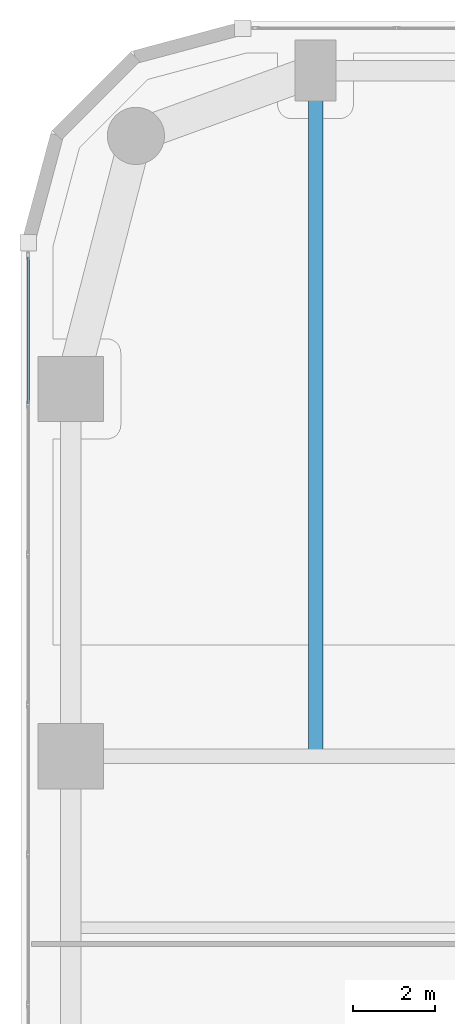
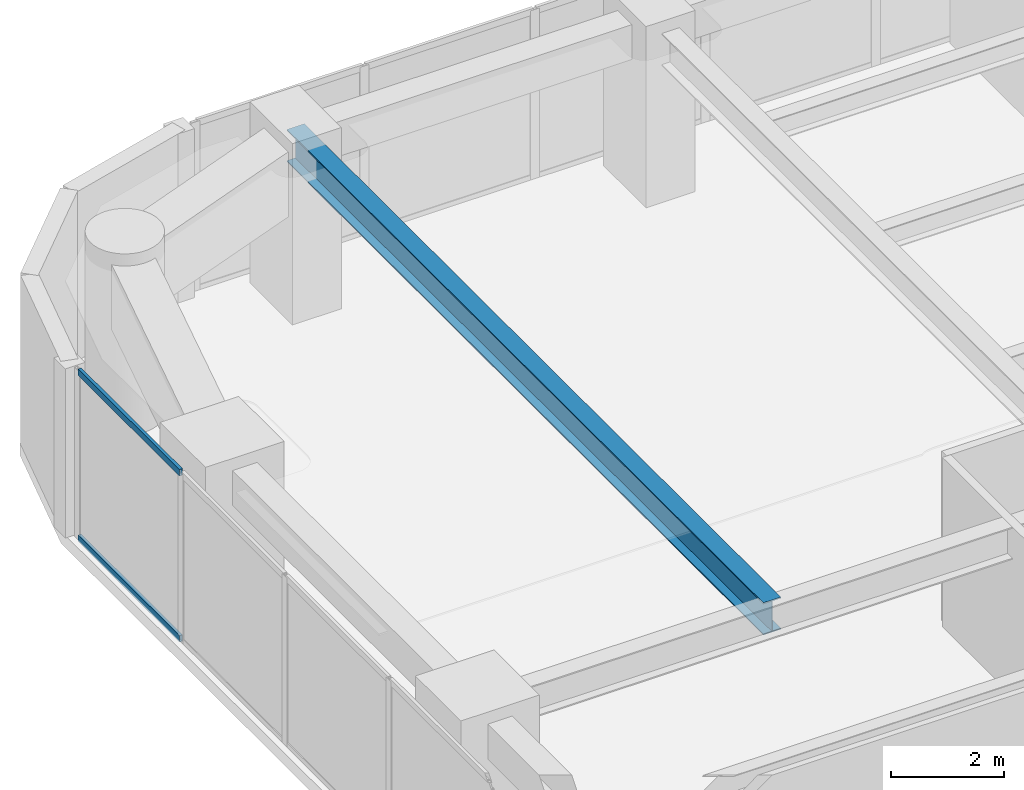
# One storey, part 13 of 28: 2 members, 1 beam, 1 element without a shape of its own.
"""IFC4 building model written with IfcOpenShell, lengths in metres."""

from ifc_helpers import new_model, si_unit, direction, frame, origin, origin_2d, place, context, subcontext, project, spatial, hollow_rectangle, i_section, extrude, material, layer, layer_set, material_profile, profile_set, type_object, element, aggregate, save


model = new_model("IFC4")

# Units and contexts
model_context = context("Model", 3, precision=1e-05, world=origin(), true_north=direction((0.0, 1.0)))
body_context = subcontext(model_context, "Body", "Model", "MODEL_VIEW")
ifc_project = project(units=[si_unit("LENGTHUNIT", "METRE"), si_unit("AREAUNIT", "SQUARE_METRE"), si_unit("VOLUMEUNIT", "CUBIC_METRE"), si_unit("PLANEANGLEUNIT", "RADIAN"), si_unit("MASSUNIT", "GRAM", prefix="KILO")], contexts=[model_context])

# Site, building, storey
site_placement = place(None, origin())
site = spatial("IfcSite", under=ifc_project, at=site_placement, CompositionType="ELEMENT")
building_placement = place(site_placement, origin())
building = spatial("IfcBuilding", under=site, at=building_placement, Name="Kiyonajd Concourse Tower", CompositionType="ELEMENT")
storey_placement = place(building_placement, frame((0.0, 0.0, 37.199951171875)))
storey = spatial("IfcBuildingStorey", under=building, at=storey_placement, Name="L10", CompositionType="ELEMENT", Elevation=37.199951171875)

# Beam
ifc_material_1 = material(Name="Steel ASTM A992 Grade 50", Category="steel")
ifc_material_profile_1 = material_profile(ifc_material_1, i_section(OverallWidth=0.35498046875, OverallDepth=0.695068359375, WebThickness=0.015380859375, FlangeThickness=0.02490234375, at=origin_2d()), Name="W690X217")
ifc_profile_set_1 = profile_set([ifc_material_profile_1], Name="Steel ASTM A992 Grade 50")
beam_type = type_object("IfcBeamType", Name="BM-TWR-690", PredefinedType="BEAM", material=ifc_profile_set_1)
beam_placement = place(storey_placement, frame((25.199951171875, 44.39990234375, 3.29248046875), z_axis=(0.0, 1.0, 0.0), x_axis=(-1.0, 0.0, 0.0)))
element("IfcBeam", 1, at=beam_placement, inside=storey, type_object=beam_type, Name="L10 North Lease Girder", PredefinedType="BEAM", context=body_context, shape_type="SweptSolid", body=[
    extrude(i_section(OverallWidth=0.35498046875, OverallDepth=0.695068359375, WebThickness=0.015380859375, FlangeThickness=0.02490234375, at=origin_2d()), origin(), (0.0, 0.0, 1.0), 16.800048828125),
])

# Curtain wall, members
ifc_material_2 = material(Name="Thermally Broken Anodised Aluminium", Category="aluminium")
ifc_layer = layer(ifc_material_2, 0.179931640625)
ifc_layer_set = layer_set([ifc_layer], Name="Thermally Broken Anodised Aluminium")
curtain_wall_type = type_object("IfcCurtainWallType", Name="CW-SYS-02", PredefinedType="NOTDEFINED", material=ifc_layer_set)
curtain_wall_placement = place(storey_placement, origin())
curtain_wall = element("IfcCurtainWall", 2, at=curtain_wall_placement, inside=storey, type_object=curtain_wall_type, Name="L10 Unitised Curtain Wall CW2", PredefinedType="NOTDEFINED")
ifc_material_profile_2 = material_profile(ifc_material_2, hollow_rectangle(XDim=0.06494140625, YDim=0.139892578125, WallThickness=0.00390625, at=origin_2d()), Name="TRAN-65x140")
ifc_profile_set_2 = profile_set([ifc_material_profile_2], Name="Thermally Broken Anodised Aluminium")
member_type = type_object("IfcMemberType", Name="MB-CW-TRAN1", PredefinedType="USERDEFINED", material=ifc_profile_set_2)
member_1_placement = place(storey_placement, frame((18.159912109375, 53.04833984375, 0.032470703125), z_axis=(0.0, 1.0, 0.0), x_axis=(-1.0, 0.0, 0.0)))
member_1 = element("IfcMember", 3, at=member_1_placement, type_object=member_type, Name="CW2 transom 6.1", ObjectType="TRANSOM", PredefinedType="USERDEFINED", context=body_context, shape_type="SweptSolid", body=[
    extrude(hollow_rectangle(XDim=0.06494140625, YDim=0.139892578125, WallThickness=0.00390625, at=origin_2d()), origin(), (0.0, 0.0, 1.0), 3.575439453125),
])
member_2_placement = place(storey_placement, frame((18.159912109375, 53.04833984375, 3.607666015625), z_axis=(0.0, 1.0, 0.0), x_axis=(-1.0, 0.0, 0.0)))
member_2 = element("IfcMember", 4, at=member_2_placement, type_object=member_type, Name="CW2 transom 6.2", ObjectType="TRANSOM", PredefinedType="USERDEFINED", context=body_context, shape_type="SweptSolid", body=[
    extrude(hollow_rectangle(XDim=0.06494140625, YDim=0.139892578125, WallThickness=0.00390625, at=origin_2d()), origin(), (0.0, 0.0, 1.0), 3.575439453125),
])
aggregate(curtain_wall, [member_1, member_2])

save(model, "model.ifc")
